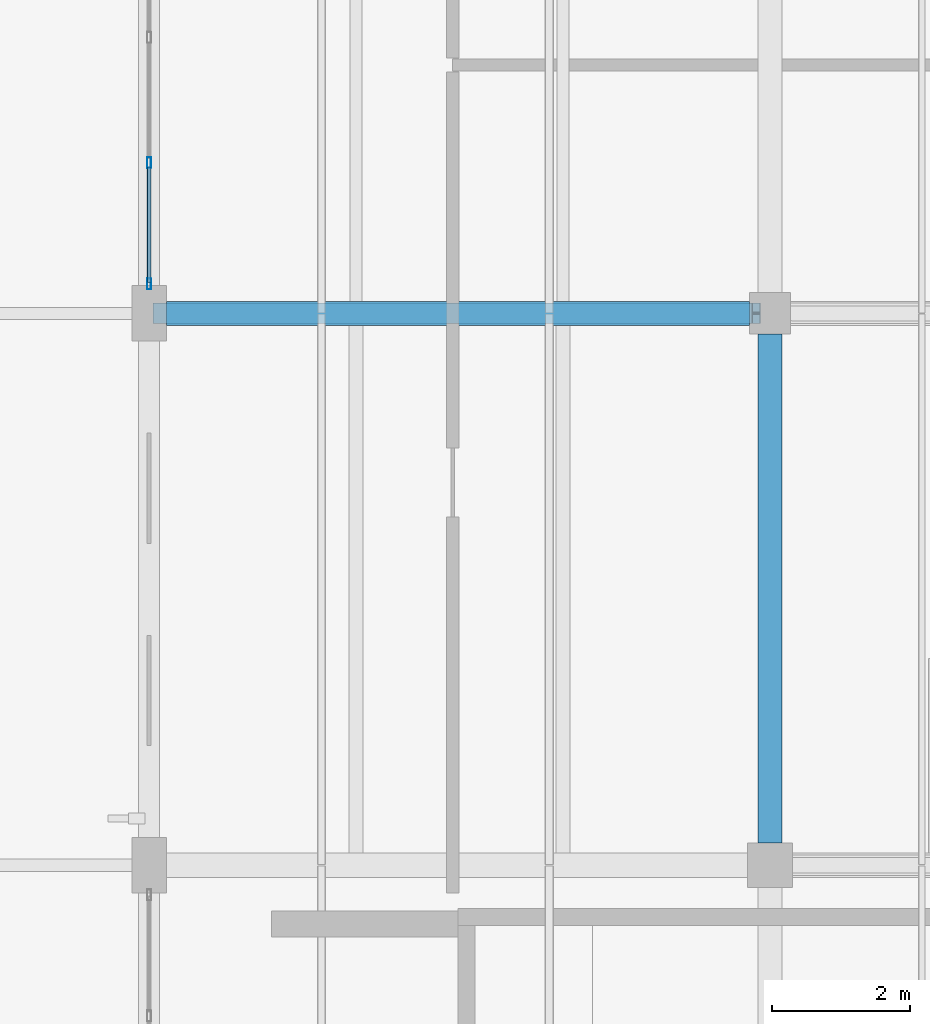
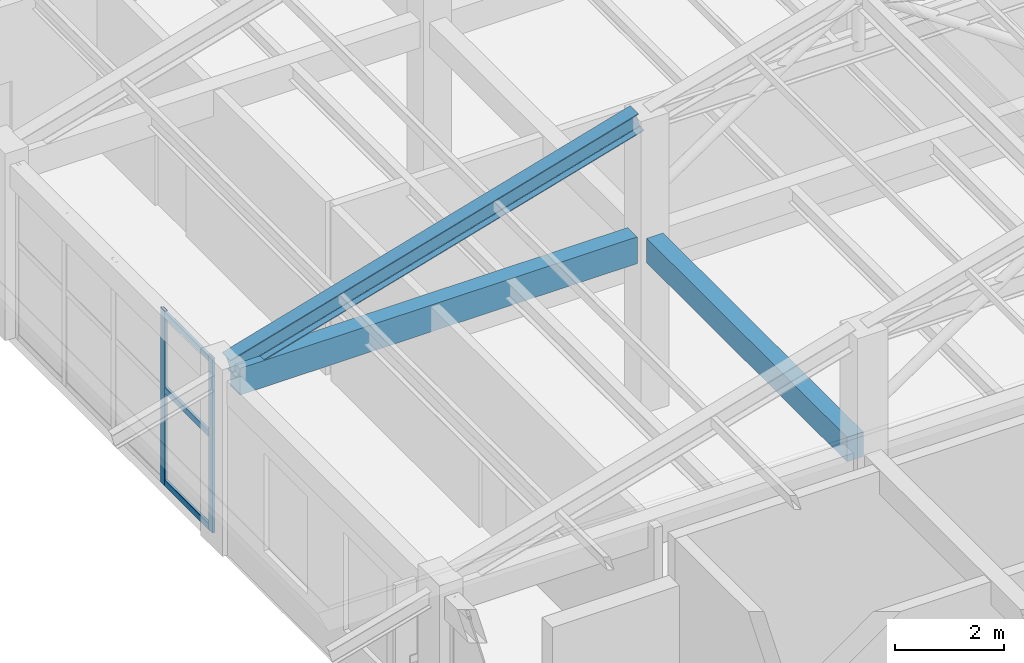
# One storey, part 22 of 58: 5 members, 3 beams, 1 element without a shape of its own.
"""IFC4 building model written with IfcOpenShell, lengths in metres."""

from ifc_helpers import new_model, si_unit, derived_unit, direction, frame, origin, origin_2d, place, context, subcontext, project, spatial, rectangle, hollow_rectangle, i_section, extrude, material, material_profile, profile_set, type_object, element, aggregate, save


model = new_model("IFC4")

# Units and contexts
model_context = context("Model", 3, precision=1e-05, world=origin(), true_north=direction((0.0, 1.0)))
body_context = subcontext(model_context, "Body", "Model", "MODEL_VIEW")
ifc_project = project(units=[si_unit("LENGTHUNIT", "METRE"), si_unit("AREAUNIT", "SQUARE_METRE"), si_unit("VOLUMEUNIT", "CUBIC_METRE"), si_unit("PLANEANGLEUNIT", "RADIAN"), si_unit("MASSUNIT", "GRAM", prefix="KILO"), derived_unit("THERMALTRANSMITTANCEUNIT", [(si_unit("MASSUNIT", "GRAM", prefix="KILO"), 1), (si_unit("TIMEUNIT", "SECOND"), -3), (si_unit("THERMODYNAMICTEMPERATUREUNIT", "KELVIN"), -1)])], contexts=[model_context])

# Site, building, storey
site_placement = place(None, origin())
site = spatial("IfcSite", under=ifc_project, at=site_placement, CompositionType="ELEMENT")
building_placement = place(site_placement, origin())
building = spatial("IfcBuilding", under=site, at=building_placement, Name="Zhenchuan Archway Interchange", CompositionType="ELEMENT")
storey_placement = place(building_placement, frame((0.0, 0.0, 22.800048828125)))
storey = spatial("IfcBuildingStorey", under=building, at=storey_placement, Name="L05", CompositionType="ELEMENT", Elevation=22.800048828125)

# Beams
ifc_material_1 = material(Name="Concrete C40", Category="concrete")
ifc_material_profile_1 = material_profile(ifc_material_1, rectangle(XDim=0.35009765625, YDim=0.550048828125, at=origin_2d()), Name="RC 350x550")
ifc_profile_set_1 = profile_set([ifc_material_profile_1], Name="Concrete C40")
beam_type_1 = type_object("IfcBeamType", Name="BM_RC_350x550", PredefinedType="BEAM", material=ifc_profile_set_1)
beam_1_placement = place(storey_placement, frame((153.0, 64.324951171875, 3.64501953125), z_axis=(0.0, 1.0, 0.0), x_axis=(-1.0, 0.0, 0.0)))
element("IfcBeam", 1, at=beam_1_placement, inside=storey, type_object=beam_type_1, Name="Beam 18:J-K (L05)", PredefinedType="BEAM", context=body_context, shape_type="SweptSolid", body=[
    extrude(rectangle(XDim=0.35009765625, YDim=0.550048828125, at=origin_2d()), origin(), (0.0, 0.0, 1.0), 7.375),
])
ifc_material_profile_2 = material_profile(ifc_material_1, rectangle(XDim=0.35009765625, YDim=0.60009765625, at=origin_2d()), Name="RC 350x600")
ifc_profile_set_2 = profile_set([ifc_material_profile_2], Name="Concrete C40")
beam_type_2 = type_object("IfcBeamType", Name="BM_RC_350x600", PredefinedType="BEAM", material=ifc_profile_set_2)
beam_2_placement = place(storey_placement, frame((144.25, 72.0, 3.619873046875), z_axis=(1.0, 0.0, 0.0), x_axis=(0.0, 1.0, 0.0)))
element("IfcBeam", 2, at=beam_2_placement, inside=storey, type_object=beam_type_2, Name="Beam K:17-18 (L05)", PredefinedType="BEAM", context=body_context, shape_type="SweptSolid", body=[
    extrude(rectangle(XDim=0.35009765625, YDim=0.60009765625, at=origin_2d()), origin(), (0.0, 0.0, 1.0), 8.449951171875),
])
ifc_material_2 = material(Name="Steel Q355", Category="steel")
ifc_material_profile_3 = material_profile(ifc_material_2, i_section(OverallWidth=0.300048828125, OverallDepth=0.43994140625, WebThickness=0.010986328125, FlangeThickness=0.01806640625, FilletRadius=0.02197265625, at=origin_2d()), Name="HM 440x300")
ifc_profile_set_3 = profile_set([ifc_material_profile_3], Name="Steel Q355")
beam_type_3 = type_object("IfcBeamType", Name="BM_STL_HM440", PredefinedType="BEAM", material=ifc_profile_set_3)
beam_3_placement = place(storey_placement, frame((144.1201171875, 72.0, 3.93994140625), z_axis=(0.960641143949, 0.0, 0.277792355102), x_axis=(0.0, 1.0, 0.0)))
element("IfcBeam", 3, at=beam_3_placement, inside=storey, type_object=beam_type_3, Name="ROOF TRUSS command wing T7 west lower rafter", PredefinedType="BEAM", context=body_context, shape_type="SweptSolid", body=[
    extrude(i_section(OverallWidth=0.300048828125, OverallDepth=0.43994140625, WebThickness=0.010986328125, FlangeThickness=0.01806640625, FilletRadius=0.02197265625, at=origin_2d()), origin(), (0.0, 0.0, 1.0), 9.03564453125),
])

# Curtain wall, members
ifc_material_3 = material(Name="Anodised Aluminium", Category="aluminium")
curtain_wall_type = type_object("IfcCurtainWallType", Name="CW_UNIT_1", PredefinedType="NOTDEFINED", material=ifc_material_3)
curtain_wall_placement = place(storey_placement, origin())
curtain_wall = element("IfcCurtainWall", 4, at=curtain_wall_placement, inside=storey, type_object=curtain_wall_type, Name="Unitised curtain wall CW:L05:204", PredefinedType="NOTDEFINED")
ifc_material_profile_4 = material_profile(ifc_material_3, hollow_rectangle(XDim=0.06005859375, YDim=0.159912109375, WallThickness=0.00390625, InnerFilletRadius=0.00390625, OuterFilletRadius=0.008056640625, at=origin_2d()), Name="ALU 160x60x4")
ifc_profile_set_4 = profile_set([ifc_material_profile_4], Name="Anodised Aluminium")
member_type_1 = type_object("IfcMemberType", Name="CW_MUL_150", PredefinedType="MULLION", material=ifc_profile_set_4)
member_1_placement = place(storey_placement, frame((144.0, 72.427978515625, 0.0), z_axis=(0.0, 0.0, 1.0), x_axis=(1.0, 0.0, 0.0)))
member_1 = element("IfcMember", 5, at=member_1_placement, type_object=member_type_1, Name="CW:L05:204 mullion 0", PredefinedType="MULLION", context=body_context, shape_type="SweptSolid", body=[
    extrude(hollow_rectangle(XDim=0.06005859375, YDim=0.159912109375, WallThickness=0.00390625, InnerFilletRadius=0.00390625, OuterFilletRadius=0.008056640625, at=origin_2d()), origin(), (0.0, 0.0, 1.0), 3.919921875),
])
member_2_placement = place(storey_placement, frame((144.0, 74.18408203125, 0.0), z_axis=(0.0, 0.0, 1.0), x_axis=(1.0, 0.0, 0.0)))
member_2 = element("IfcMember", 6, at=member_2_placement, type_object=member_type_1, Name="CW:L05:204 mullion 1", PredefinedType="MULLION", context=body_context, shape_type="SweptSolid", body=[
    extrude(hollow_rectangle(XDim=0.06005859375, YDim=0.159912109375, WallThickness=0.00390625, InnerFilletRadius=0.00390625, OuterFilletRadius=0.008056640625, at=origin_2d()), origin(), (0.0, 0.0, 1.0), 3.919921875),
])
ifc_material_profile_5 = material_profile(ifc_material_3, hollow_rectangle(XDim=0.06005859375, YDim=0.139892578125, WallThickness=0.00341796875, InnerFilletRadius=0.00341796875, OuterFilletRadius=0.007080078125, at=origin_2d()), Name="ALU 140x60x3.5")
ifc_profile_set_5 = profile_set([ifc_material_profile_5], Name="Anodised Aluminium")
member_type_2 = type_object("IfcMemberType", Name="CW_TRN_140", PredefinedType="USERDEFINED", material=ifc_profile_set_5)
member_3_placement = place(storey_placement, frame((144.0, 72.447998046875, 0.06005859375), z_axis=(0.0, 1.0, 0.0), x_axis=(-1.0, 0.0, 0.0)))
member_3 = element("IfcMember", 7, at=member_3_placement, type_object=member_type_2, Name="CW:L05:204 transom 0-1", ObjectType="TRANSOM", PredefinedType="USERDEFINED", context=body_context, shape_type="SweptSolid", body=[
    extrude(hollow_rectangle(XDim=0.06005859375, YDim=0.139892578125, WallThickness=0.00341796875, InnerFilletRadius=0.00341796875, OuterFilletRadius=0.007080078125, at=origin_2d()), origin(), (0.0, 0.0, 1.0), 1.676025390625),
])
member_4_placement = place(storey_placement, frame((144.0, 72.447998046875, 2.14501953125), z_axis=(0.0, 1.0, 0.0), x_axis=(-1.0, 0.0, 0.0)))
member_4 = element("IfcMember", 8, at=member_4_placement, type_object=member_type_2, Name="CW:L05:204 transom 0-2", ObjectType="TRANSOM", PredefinedType="USERDEFINED", context=body_context, shape_type="SweptSolid", body=[
    extrude(hollow_rectangle(XDim=0.06005859375, YDim=0.139892578125, WallThickness=0.00341796875, InnerFilletRadius=0.00341796875, OuterFilletRadius=0.007080078125, at=origin_2d()), origin(), (0.0, 0.0, 1.0), 1.676025390625),
])
member_5_placement = place(storey_placement, frame((144.0, 72.447998046875, 3.83984375), z_axis=(0.0, 1.0, 0.0), x_axis=(-1.0, 0.0, 0.0)))
member_5 = element("IfcMember", 9, at=member_5_placement, type_object=member_type_2, Name="CW:L05:204 transom 0-3", ObjectType="TRANSOM", PredefinedType="USERDEFINED", context=body_context, shape_type="SweptSolid", body=[
    extrude(hollow_rectangle(XDim=0.06005859375, YDim=0.139892578125, WallThickness=0.00341796875, InnerFilletRadius=0.00341796875, OuterFilletRadius=0.007080078125, at=origin_2d()), origin(), (0.0, 0.0, 1.0), 1.676025390625),
])
aggregate(curtain_wall, [member_1, member_2, member_3, member_4, member_5])

save(model, "model.ifc")
